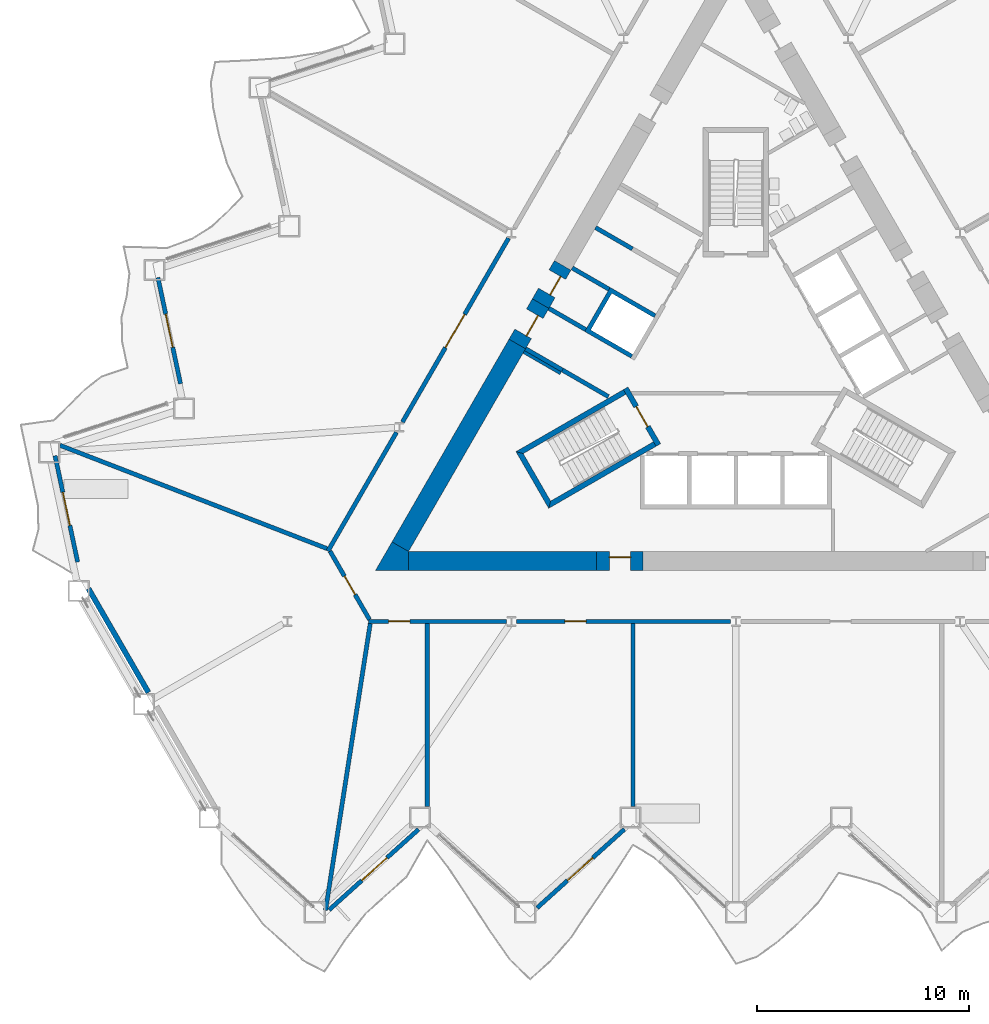
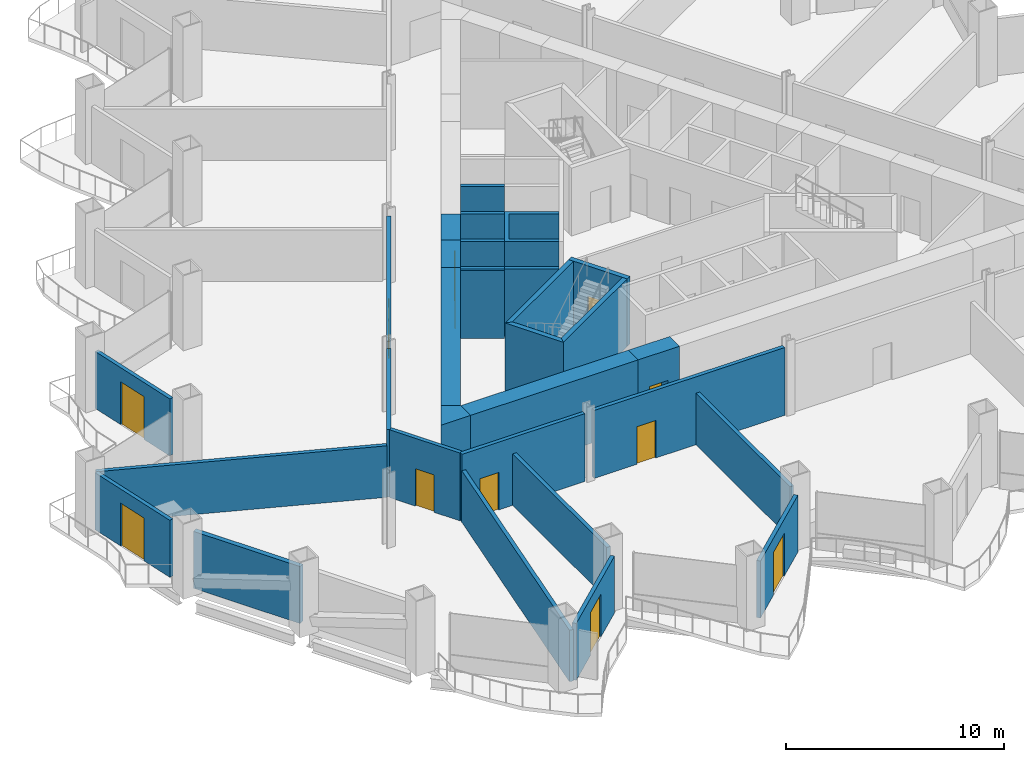
# One storey, part 9 of 21: 31 walls, 12 doors, 12 openings.
"""IFC4 building model written with IfcOpenShell, lengths in metres."""

from ifc_helpers import new_model, si_unit, direction, frame, frame_2d, origin, place, context, subcontext, project, spatial, polyline, rectangle, outline, extrude, material, layer, layer_set, type_object, element, fill, save


model = new_model("IFC4")

# Units and contexts
model_context = context("Model", 3, precision=1e-05, world=origin(), true_north=direction((0.0, 1.0)))
body_context = subcontext(model_context, "Body", "Model", "MODEL_VIEW")
ifc_project = project(units=[si_unit("LENGTHUNIT", "METRE"), si_unit("AREAUNIT", "SQUARE_METRE"), si_unit("VOLUMEUNIT", "CUBIC_METRE"), si_unit("PLANEANGLEUNIT", "RADIAN"), si_unit("MASSUNIT", "GRAM", prefix="KILO")], contexts=[model_context])

# Site, building, storey
site_placement = place(None, origin())
site = spatial("IfcSite", under=ifc_project, at=site_placement, CompositionType="ELEMENT")
building_placement = place(site_placement, origin())
building = spatial("IfcBuilding", under=site, at=building_placement, Name="Cormorant Prow Tower", CompositionType="ELEMENT")
storey_placement = place(building_placement, frame((0.0, 0.0, 51.0)))
storey = spatial("IfcBuildingStorey", under=building, at=storey_placement, Name="L10", CompositionType="ELEMENT", Elevation=51.0)

# Walls
ifc_material_1 = material(Name="Gypsum board partition")
ifc_layer_1 = layer(ifc_material_1, 0.14990234375)
ifc_layer_set_1 = layer_set([ifc_layer_1], Name="Gypsum board partition")
wall_type_1 = type_object("IfcWallType", Name="Core partition 150", PredefinedType="PARTITIONING", material=ifc_layer_set_1)
wall_1_placement = place(storey_placement, frame((-8.268310546875, -0.509033203125, 0.0), z_axis=(0.0, 0.0, 1.0), x_axis=(-0.866035824272, 0.499981950752, 0.0)))
element("IfcWall", 1, at=wall_1_placement, inside=storey, type_object=wall_type_1, Name="Service room partition", PredefinedType="PARTITIONING", context=body_context, shape_type="SweptSolid", body=[
    extrude(rectangle(XDim=2.0087890625, YDim=0.14990234375, at=frame_2d((1.00439453125, 0.0))), origin(), (0.0, 0.0, 1.0), 3.800048828125),
])
ifc_material_2 = material(Name="Concrete 8000 psi", Category="concrete")
ifc_layer_2 = layer(ifc_material_2, 0.89990234375)
ifc_layer_set_2 = layer_set([ifc_layer_2], Name="Concrete 8000 psi")
wall_type_2 = type_object("IfcWallType", Name="Core shear wall 900", PredefinedType="SHEAR", material=ifc_layer_set_2)
wall_2_placement = place(storey_placement, frame((-15.441162109375, -9.364990234375, 0.0), z_axis=(0.0, 0.0, 1.0), x_axis=(1.0, 0.0, 0.0)))
element("IfcWall", 2, at=wall_2_placement, inside=storey, type_object=wall_type_2, Name="Core wall", PredefinedType="SHEAR", context=body_context, shape_type="SweptSolid", body=[
    extrude(rectangle(XDim=8.87060546875, YDim=0.89990234375, at=frame_2d((4.435302734375, 0.0))), origin(), (0.0, 0.0, 1.0), 3.800048828125),
])
wall_3_placement = place(storey_placement, frame((-10.310302734375, 0.8720703125, 0.0), z_axis=(0.0, 0.0, 1.0), x_axis=(-0.499991697393, -0.866030197244, 0.0)))
element("IfcWall", 3, at=wall_3_placement, inside=storey, type_object=wall_type_2, Name="Core wall", PredefinedType="SHEAR", context=body_context, shape_type="SweptSolid", body=[
    extrude(rectangle(XDim=11.041259765625, YDim=0.89990234375, at=frame_2d((5.5205078125, 0.0))), origin(), (0.0, 0.0, 1.0), 3.800048828125),
])
wall_4_placement = place(storey_placement, origin())
element("IfcWall", 4, at=wall_4_placement, inside=storey, type_object=wall_type_2, Name="Core wall corner", PredefinedType="SHEAR", context=body_context, shape_type="SweptSolid", body=[
    extrude(outline(polyline([(-16.220703125, -8.465087890625), (-15.441162109375, -8.9150390625), (-15.441162109375, -9.81494140625), (-17.0, -9.81494140625), (-16.220703125, -8.465087890625)])), origin(), (0.0, 0.0, 1.0), 3.800048828125),
])

# Wall, opening, door
wall_5_placement = place(storey_placement, frame((-6.570556640625, -9.364990234375, 0.0), z_axis=(0.0, 0.0, 1.0), x_axis=(1.0, 0.0, 0.0)))
wall_5 = element("IfcWall", 5, at=wall_5_placement, inside=storey, type_object=wall_type_2, Name="Core wall door panel", PredefinedType="SHEAR", context=body_context, shape_type="SweptSolid", body=[
    extrude(rectangle(XDim=2.199951171875, YDim=0.89990234375, at=frame_2d((1.10009765625, 0.0))), origin(), (0.0, 0.0, 1.0), 3.800048828125),
])
opening_1_placement = place(wall_5_placement, frame((0.60009765625, 0.0, 0.0)))
opening_1 = element("IfcOpeningElement", 6, at=opening_1_placement, cuts=wall_5, Name="Opening L10-C16", PredefinedType="OPENING", context=body_context, shape_type="SweptSolid", body=[
    extrude(rectangle(XDim=1.0, YDim=2.10009765625, at=frame_2d((0.5, 1.050048828125))), frame((0.0, 0.4599609375, 0.0), z_axis=(0.0, -1.0, 0.0), x_axis=(1.0, 0.0, 0.0)), (0.0, 0.0, 1.0), 0.919921875),
])
ifc_material_3 = material(Name="Painted steel", Category="steel")
door_type_1 = type_object("IfcDoorType", Name="Service door 1000x2100", OperationType="NOTDEFINED", PredefinedType="DOOR", material=ifc_material_3)
door_1_placement = place(opening_1_placement, origin())
door_1 = element("IfcDoor", 7, at=door_1_placement, inside=storey, type_object=door_type_1, Name="Core door, Pantry store", OperationType="SINGLE_SWING_RIGHT", OverallHeight=2.10009765625, OverallWidth=1.0, PredefinedType="DOOR", context=body_context, shape_type="SweptSolid", body=[
    extrude(rectangle(XDim=1.0, YDim=2.10009765625, at=frame_2d((0.5, 1.050048828125))), frame((0.0, 0.205078125, 0.0), z_axis=(0.0, -1.0, 0.0), x_axis=(1.0, 0.0, 0.0)), (0.0, 0.0, 1.0), 0.050048828125),
])
fill(opening_1, door_1)

wall_6_placement = place(storey_placement, frame((-8.17041015625, 4.57861328125, 0.0), z_axis=(0.0, 0.0, 1.0), x_axis=(-0.499888406853, -0.866089822532, 0.0)))
wall_6 = element("IfcWall", 8, at=wall_6_placement, inside=storey, type_object=wall_type_2, Name="Core wall door panel", PredefinedType="SHEAR", context=body_context, shape_type="SweptSolid", body=[
    extrude(rectangle(XDim=2.080078125, YDim=0.89990234375, at=frame_2d((1.0400390625, 0.0))), origin(), (0.0, 0.0, 1.0), 3.800048828125),
])
opening_2_placement = place(wall_6_placement, frame((0.5, 0.0, 0.0)))
opening_2 = element("IfcOpeningElement", 9, at=opening_2_placement, cuts=wall_6, Name="Opening L10-C19", PredefinedType="OPENING", context=body_context, shape_type="SweptSolid", body=[
    extrude(rectangle(XDim=1.0, YDim=2.10009765625, at=frame_2d((0.5, 1.050048828125))), frame((0.0, 0.4599609375, 0.0), z_axis=(0.0, -1.0, 0.0), x_axis=(1.0, 0.0, 0.0)), (0.0, 0.0, 1.0), 0.919921875),
])
door_2_placement = place(opening_2_placement, origin())
door_2 = element("IfcDoor", 10, at=door_2_placement, inside=storey, type_object=door_type_1, Name="Core door, Telecom room", OperationType="SINGLE_SWING_LEFT", OverallHeight=2.10009765625, OverallWidth=1.0, PredefinedType="DOOR", context=body_context, shape_type="SweptSolid", body=[
    extrude(rectangle(XDim=1.0, YDim=2.10009765625, at=frame_2d((0.5, 1.050048828125))), frame((0.0, 0.205078125, 0.0), z_axis=(0.0, -1.0, 0.0), x_axis=(1.0, 0.0, 0.0)), (0.0, 0.0, 1.0), 0.050048828125),
])
fill(opening_2, door_2)

wall_7_placement = place(storey_placement, frame((-9.210205078125, 2.777099609375, 0.0), z_axis=(0.0, 0.0, 1.0), x_axis=(-0.500077893725, -0.86598042715, 0.0)))
wall_7 = element("IfcWall", 11, at=wall_7_placement, inside=storey, type_object=wall_type_2, Name="Core wall door panel", PredefinedType="SHEAR", context=body_context, shape_type="SweptSolid", body=[
    extrude(rectangle(XDim=2.199951171875, YDim=0.89990234375, at=frame_2d((1.10009765625, 0.0))), origin(), (0.0, 0.0, 1.0), 3.800048828125),
])
opening_3_placement = place(wall_7_placement, frame((0.550048828125, 0.0, 0.0)))
opening_3 = element("IfcOpeningElement", 12, at=opening_3_placement, cuts=wall_7, Name="Opening L10-C24", PredefinedType="OPENING", context=body_context, shape_type="SweptSolid", body=[
    extrude(rectangle(XDim=1.10009765625, YDim=2.10009765625, at=frame_2d((0.550048828125, 1.050048828125))), frame((0.0, 0.4599609375, 0.0), z_axis=(0.0, -1.0, 0.0), x_axis=(1.0, 0.0, 0.0)), (0.0, 0.0, 1.0), 0.919921875),
])
ifc_material_4 = material(Name="Painted steel", Category="steel")
door_type_2 = type_object("IfcDoorType", Name="Core door 1100x2100", OperationType="NOTDEFINED", PredefinedType="DOOR", material=ifc_material_4)
door_3_placement = place(opening_3_placement, origin())
door_3 = element("IfcDoor", 13, at=door_3_placement, inside=storey, type_object=door_type_2, Name="Core door, lift lobby", OperationType="SINGLE_SWING_LEFT", OverallHeight=2.10009765625, OverallWidth=1.10009765625, PredefinedType="DOOR", context=body_context, shape_type="SweptSolid", body=[
    extrude(rectangle(XDim=1.10009765625, YDim=2.10009765625, at=frame_2d((0.550048828125, 1.050048828125))), frame((0.0, 0.205078125, 0.0), z_axis=(0.0, -1.0, 0.0), x_axis=(1.0, 0.0, 0.0)), (0.0, 0.0, 1.0), 0.050048828125),
])
fill(opening_3, door_3)

ifc_material_5 = material(Name="Gypsum board corridor wall")
ifc_layer_3 = layer(ifc_material_5, 0.199951171875)
ifc_layer_set_3 = layer_set([ifc_layer_3], Name="Gypsum board corridor wall")
wall_type_3 = type_object("IfcWallType", Name="Corridor wall 200", PredefinedType="PARTITIONING", material=ifc_layer_set_3)
wall_8_placement = place(storey_placement, frame((-10.336181640625, -12.215087890625, 0.0), z_axis=(0.0, 0.0, 1.0), x_axis=(1.0, 0.0, 0.0)))
wall_8 = element("IfcWall", 14, at=wall_8_placement, inside=storey, type_object=wall_type_3, Name="Corridor wall", PredefinedType="PARTITIONING", context=body_context, shape_type="SweptSolid", body=[
    extrude(rectangle(XDim=10.093994140625, YDim=0.199951171875, at=frame_2d((5.046875, 0.0))), origin(), (0.0, 0.0, 1.0), 3.800048828125),
])
opening_4_placement = place(wall_8_placement, frame((2.27197265625, 0.0, 0.0)))
opening_4 = element("IfcOpeningElement", 15, at=opening_4_placement, cuts=wall_8, Name="Opening L10-F02", PredefinedType="OPENING", context=body_context, shape_type="SweptSolid", body=[
    extrude(rectangle(XDim=1.0, YDim=2.10009765625, at=frame_2d((0.5, 1.050048828125))), frame((0.0, 0.10986328125, 0.0), z_axis=(0.0, -1.0, 0.0), x_axis=(1.0, 0.0, 0.0)), (0.0, 0.0, 1.0), 0.219970703125),
])
ifc_material_6 = material(Name="Timber door leaf", Category="wood")
door_type_3 = type_object("IfcDoorType", Name="Office door 1000x2100", OperationType="NOTDEFINED", PredefinedType="DOOR", material=ifc_material_6)
door_4_placement = place(opening_4_placement, origin())
door_4 = element("IfcDoor", 16, at=door_4_placement, inside=storey, type_object=door_type_3, Name="Tenant suite door", OperationType="SINGLE_SWING_LEFT", OverallHeight=2.10009765625, OverallWidth=1.0, PredefinedType="DOOR", context=body_context, shape_type="SweptSolid", body=[
    extrude(rectangle(XDim=1.0, YDim=2.10009765625, at=frame_2d((0.5, 1.050048828125))), frame((0.0, 0.02490234375, 0.0), z_axis=(0.0, -1.0, 0.0), x_axis=(1.0, 0.0, 0.0)), (0.0, 0.0, 1.0), 0.050048828125),
])
fill(opening_4, door_4)

wall_9_placement = place(storey_placement, frame((-15.727783203125, -2.811279296875, 0.0), z_axis=(0.0, 0.0, 1.0), x_axis=(0.49999175339, 0.866030164915, 0.0)))
wall_9 = element("IfcWall", 17, at=wall_9_placement, inside=storey, type_object=wall_type_3, Name="Corridor wall", PredefinedType="PARTITIONING", context=body_context, shape_type="SweptSolid", body=[
    extrude(rectangle(XDim=10.018798828125, YDim=0.199951171875, at=frame_2d((5.00927734375, 0.0))), origin(), (0.0, 0.0, 1.0), 3.800048828125),
])
opening_5_placement = place(wall_9_placement, frame((4.059326171875, 0.0, 0.0)))
opening_5 = element("IfcOpeningElement", 18, at=opening_5_placement, cuts=wall_9, Name="Opening L10-F16", PredefinedType="OPENING", context=body_context, shape_type="SweptSolid", body=[
    extrude(rectangle(XDim=1.800048828125, YDim=2.10009765625, at=frame_2d((0.89990234375, 1.050048828125))), frame((0.0, 0.10986328125, 0.0), z_axis=(0.0, -1.0, 0.0), x_axis=(1.0, 0.0, 0.0)), (0.0, 0.0, 1.0), 0.219970703125),
])
ifc_material_7 = material(Name="Timber door leaf", Category="wood")
door_type_4 = type_object("IfcDoorType", Name="Double door 1800x2100", OperationType="DOUBLE_DOOR_SINGLE_SWING", PredefinedType="DOOR", material=ifc_material_7)
door_5_placement = place(opening_5_placement, origin())
door_5 = element("IfcDoor", 19, at=door_5_placement, inside=storey, type_object=door_type_4, Name="Open-plan office door", OperationType="DOUBLE_DOOR_SINGLE_SWING", OverallHeight=2.10009765625, OverallWidth=1.800048828125, PredefinedType="DOOR", context=body_context, shape_type="SweptSolid", body=[
    extrude(rectangle(XDim=1.800048828125, YDim=2.10009765625, at=frame_2d((0.89990234375, 1.050048828125))), frame((0.0, 0.02490234375, 0.0), z_axis=(0.0, -1.0, 0.0), x_axis=(1.0, 0.0, 0.0)), (0.0, 0.0, 1.0), 0.050048828125),
])
fill(opening_5, door_5)

wall_10_placement = place(storey_placement, frame((-17.330810546875, -12.215087890625, 0.0), z_axis=(0.0, 0.0, 1.0), x_axis=(1.0, 0.0, 0.0)))
wall_10 = element("IfcWall", 20, at=wall_10_placement, inside=storey, type_object=wall_type_3, Name="Corridor wall", PredefinedType="PARTITIONING", context=body_context, shape_type="SweptSolid", body=[
    extrude(rectangle(XDim=6.510009765625, YDim=0.199951171875, at=frame_2d((3.2548828125, 0.0))), origin(), (0.0, 0.0, 1.0), 3.800048828125),
])
opening_6_placement = place(wall_10_placement, frame((0.951416015625, 0.0, 0.0)))
opening_6 = element("IfcOpeningElement", 21, at=opening_6_placement, cuts=wall_10, Name="Opening L10-F01", PredefinedType="OPENING", context=body_context, shape_type="SweptSolid", body=[
    extrude(rectangle(XDim=1.0, YDim=2.10009765625, at=frame_2d((0.5, 1.050048828125))), frame((0.0, 0.10986328125, 0.0), z_axis=(0.0, -1.0, 0.0), x_axis=(1.0, 0.0, 0.0)), (0.0, 0.0, 1.0), 0.219970703125),
])
door_6_placement = place(opening_6_placement, origin())
door_6 = element("IfcDoor", 22, at=door_6_placement, inside=storey, type_object=door_type_3, Name="Meeting room door", OperationType="SINGLE_SWING_LEFT", OverallHeight=2.10009765625, OverallWidth=1.0, PredefinedType="DOOR", context=body_context, shape_type="SweptSolid", body=[
    extrude(rectangle(XDim=1.0, YDim=2.10009765625, at=frame_2d((0.5, 1.050048828125))), frame((0.0, 0.02490234375, 0.0), z_axis=(0.0, -1.0, 0.0), x_axis=(1.0, 0.0, 0.0)), (0.0, 0.0, 1.0), 0.050048828125),
])
fill(opening_6, door_6)

# Wall
wall_11_placement = place(storey_placement, frame((-19.243896484375, -8.901611328125, 0.0), z_axis=(0.0, 0.0, 1.0), x_axis=(0.499984737558, 0.86603421538, 0.0)))
element("IfcWall", 23, at=wall_11_placement, inside=storey, type_object=wall_type_3, Name="Corridor wall", PredefinedType="PARTITIONING", context=body_context, shape_type="SweptSolid", body=[
    extrude(rectangle(XDim=6.472900390625, YDim=0.199951171875, at=frame_2d((3.236328125, 0.0))), origin(), (0.0, 0.0, 1.0), 3.800048828125),
])

# Wall, opening, door
wall_12_placement = place(storey_placement, frame((-19.143798828125, -8.901611328125, 0.0), z_axis=(0.0, 0.0, 1.0), x_axis=(0.499958791762, -0.866049194065, 0.0)))
wall_12 = element("IfcWall", 24, at=wall_12_placement, inside=storey, type_object=wall_type_3, Name="Corridor wall", PredefinedType="PARTITIONING", context=body_context, shape_type="SweptSolid", body=[
    extrude(rectangle(XDim=3.725830078125, YDim=0.199951171875, at=frame_2d((1.86279296875, 0.0))), origin(), (0.0, 0.0, 1.0), 3.800048828125),
])
opening_7_placement = place(wall_12_placement, frame((1.363037109375, 0.0, 0.0)))
opening_7 = element("IfcOpeningElement", 25, at=opening_7_placement, cuts=wall_12, Name="Opening L10-F17", PredefinedType="OPENING", context=body_context, shape_type="SweptSolid", body=[
    extrude(rectangle(XDim=1.0, YDim=2.10009765625, at=frame_2d((0.5, 1.050048828125))), frame((0.0, 0.10986328125, 0.0), z_axis=(0.0, -1.0, 0.0), x_axis=(1.0, 0.0, 0.0)), (0.0, 0.0, 1.0), 0.219970703125),
])
door_7_placement = place(opening_7_placement, origin())
door_7 = element("IfcDoor", 26, at=door_7_placement, inside=storey, type_object=door_type_3, Name="Tenant reception door", OperationType="SINGLE_SWING_LEFT", OverallHeight=2.10009765625, OverallWidth=1.0, PredefinedType="DOOR", context=body_context, shape_type="SweptSolid", body=[
    extrude(rectangle(XDim=1.0, YDim=2.10009765625, at=frame_2d((0.5, 1.050048828125))), frame((0.0, 0.02490234375, 0.0), z_axis=(0.0, -1.0, 0.0), x_axis=(1.0, 0.0, 0.0)), (0.0, 0.0, 1.0), 0.050048828125),
])
fill(opening_7, door_7)

# Walls
ifc_material_8 = material(Name="Gypsum board demising wall")
ifc_layer_4 = layer(ifc_material_8, 0.199951171875)
ifc_layer_set_4 = layer_set([ifc_layer_4], Name="Gypsum board demising wall")
wall_type_4 = type_object("IfcWallType", Name="Demising wall 200", PredefinedType="PARTITIONING", material=ifc_layer_set_4)
wall_13_placement = place(storey_placement, frame((-19.354248046875, -25.8447265625, 0.0), z_axis=(0.0, 0.0, 1.0), x_axis=(0.153927101979, 0.98808220674, 0.0)))
element("IfcWall", 27, at=wall_13_placement, inside=storey, type_object=wall_type_4, Name="Demising wall", PredefinedType="PARTITIONING", context=body_context, shape_type="SweptSolid", body=[
    extrude(rectangle(XDim=13.694091796875, YDim=0.199951171875, at=frame_2d((6.84716796875, 0.0))), origin(), (0.0, 0.0, 1.0), 2.88525390625),
])
wall_14_placement = place(storey_placement, frame((-31.87939453125, -3.908447265625, 0.0), z_axis=(0.0, 0.0, 1.0), x_axis=(0.932669586354, -0.360731815467, 0.0)))
element("IfcWall", 28, at=wall_14_placement, inside=storey, type_object=wall_type_4, Name="Demising wall", PredefinedType="PARTITIONING", context=body_context, shape_type="SweptSolid", body=[
    extrude(rectangle(XDim=13.501220703125, YDim=0.199951171875, at=frame_2d((6.75048828125, 0.0))), origin(), (0.0, 0.0, 1.0), 2.88525390625),
])
for number, where, z_axis, x_axis, name in (
    (29, (-14.55810546875, -20.949951171875, 0.0), (0.0, 0.0, 1.0), (0.0, 1.0, 0.0), "Demising wall"),
    (30, (-4.852783203125, -20.949951171875, 0.0), (0.0, 0.0, 1.0), (0.0, 1.0, 0.0), "Demising wall"),
):
    element("IfcWall", number, at=place(storey_placement, frame(where, z_axis=z_axis, x_axis=x_axis)), inside=storey, type_object=wall_type_4, Name=name, PredefinedType="PARTITIONING", context=body_context, shape_type="SweptSolid", body=[
        extrude(rectangle(XDim=8.635009765625, YDim=0.199951171875, at=frame_2d((4.3173828125, 0.0))), origin(), (0.0, 0.0, 1.0), 2.88525390625),
    ])
ifc_material_9 = material(Name="Concrete 8000 psi", Category="concrete")
ifc_layer_5 = layer(ifc_material_9, 0.199951171875)
ifc_layer_set_5 = layer_set([ifc_layer_5], Name="Concrete 8000 psi")
wall_type_5 = type_object("IfcWallType", Name="Lift shaft wall 200", PredefinedType="SHEAR", material=ifc_layer_set_5)
wall_15_placement = place(storey_placement, origin())
element("IfcWall", 31, at=wall_15_placement, inside=storey, type_object=wall_type_5, Name="Lift shaft walls, WNW block", PredefinedType="SHEAR", context=body_context, shape_type="SweptSolid", body=[
    extrude(outline(polyline([(-6.060546875, -1.697021484375), (-8.230712890625, -0.444091796875), (-8.130859375, -0.27099609375), (-5.96044921875, -1.52392578125), (-6.060546875, -1.697021484375)])), origin(), (0.0, 0.0, 1.0), 3.800048828125),
])
wall_16_placement = place(storey_placement, origin())
element("IfcWall", 32, at=wall_16_placement, inside=storey, type_object=wall_type_5, Name="Lift shaft walls, WNW block", PredefinedType="SHEAR", context=body_context, shape_type="SweptSolid", body=[
    extrude(outline(polyline([(-4.96044921875, 0.2080078125), (-7.130859375, 1.461181640625), (-5.930908203125, 3.53955078125), (-3.760498046875, 2.28662109375), (-3.860595703125, 2.11328125), (-5.852294921875, 3.263427734375), (-6.852294921875, 1.53125), (-4.860595703125, 0.38134765625), (-4.96044921875, 0.2080078125)])), origin(), (0.0, 0.0, 1.0), 3.800048828125),
])
wall_17_placement = place(storey_placement, frame((-4.880859375, 5.3583984375, 0.0), z_axis=(0.0, 0.0, 1.0), x_axis=(-0.866035824272, 0.499981950752, 0.0)))
element("IfcWall", 33, at=wall_17_placement, inside=storey, type_object=wall_type_5, Name="Store side wall", PredefinedType="SHEAR", context=body_context, shape_type="SweptSolid", body=[
    extrude(rectangle(XDim=2.0087890625, YDim=0.199951171875, at=frame_2d((1.00439453125, 0.0))), origin(), (0.0, 0.0, 1.0), 3.800048828125),
])
wall_18_placement = place(storey_placement, frame((-5.980712890625, 3.452880859375, 0.0), z_axis=(0.0, 0.0, 1.0), x_axis=(-0.866013584312, 0.500020471368, 0.0)))
element("IfcWall", 34, at=wall_18_placement, inside=storey, type_object=wall_type_5, Name="Store side wall", PredefinedType="SHEAR", context=body_context, shape_type="SweptSolid", body=[
    extrude(rectangle(XDim=2.00927734375, YDim=0.199951171875, at=frame_2d((1.004638671875, 0.0))), origin(), (0.0, 0.0, 1.0), 3.800048828125),
])
wall_19_placement = place(storey_placement, frame((-7.080810546875, 1.547607421875, 0.0), z_axis=(0.0, 0.0, 1.0), x_axis=(-0.865983199114, 0.50007309351, 0.0)))
element("IfcWall", 35, at=wall_19_placement, inside=storey, type_object=wall_type_5, Name="Lobby passage wall", PredefinedType="SHEAR", context=body_context, shape_type="SweptSolid", body=[
    extrude(rectangle(XDim=2.009033203125, YDim=0.199951171875, at=frame_2d((1.00439453125, 0.0))), origin(), (0.0, 0.0, 1.0), 3.800048828125),
])
wall_20_placement = place(storey_placement, frame((-8.180908203125, -0.357421875, 0.0), z_axis=(0.0, 0.0, 1.0), x_axis=(-0.866035824272, 0.499981950752, 0.0)))
element("IfcWall", 36, at=wall_20_placement, inside=storey, type_object=wall_type_5, Name="Lobby passage wall", PredefinedType="SHEAR", context=body_context, shape_type="SweptSolid", body=[
    extrude(rectangle(XDim=2.0087890625, YDim=0.199951171875, at=frame_2d((1.00439453125, 0.0))), origin(), (0.0, 0.0, 1.0), 3.800048828125),
])
ifc_material_10 = material(Name="Concrete 8000 psi", Category="concrete")
ifc_layer_6 = layer(ifc_material_10, 0.25)
ifc_layer_set_6 = layer_set([ifc_layer_6], Name="Concrete 8000 psi")
wall_type_6 = type_object("IfcWallType", Name="Stair wall 250", PredefinedType="SHEAR", material=ifc_layer_set_6)
wall_21_placement = place(storey_placement, origin())
element("IfcWall", 37, at=wall_21_placement, inside=storey, type_object=wall_type_6, Name="Stair ST1 enclosure wall (flank)", PredefinedType="SHEAR", context=body_context, shape_type="SweptSolid", body=[
    extrude(outline(polyline([(-5.30712890625, -1.28125), (-10.37353515625, -4.206298828125), (-10.031982421875, -4.2978515625), (-5.18212890625, -1.497802734375), (-5.30712890625, -1.28125)])), origin(), (0.0, 0.0, 1.0), 3.800048828125),
])
wall_22_placement = place(storey_placement, origin())
element("IfcWall", 38, at=wall_22_placement, inside=storey, type_object=wall_type_6, Name="Stair ST1 enclosure wall (end)", PredefinedType="SHEAR", context=body_context, shape_type="SweptSolid", body=[
    extrude(outline(polyline([(-10.37353515625, -4.206298828125), (-8.82958984375, -6.880615234375), (-8.738037109375, -6.5390625), (-10.031982421875, -4.2978515625), (-10.37353515625, -4.206298828125)])), origin(), (0.0, 0.0, 1.0), 3.800048828125),
])
wall_23_placement = place(storey_placement, origin())
element("IfcWall", 39, at=wall_23_placement, inside=storey, type_object=wall_type_6, Name="Stair ST1 enclosure wall (flank)", PredefinedType="SHEAR", context=body_context, shape_type="SweptSolid", body=[
    extrude(outline(polyline([(-8.738037109375, -6.5390625), (-8.82958984375, -6.880615234375), (-3.76318359375, -3.95556640625), (-3.88818359375, -3.739013671875), (-8.738037109375, -6.5390625)])), origin(), (0.0, 0.0, 1.0), 3.800048828125),
])

# Wall, opening, door
wall_24_placement = place(storey_placement, frame((-5.198974609375, -1.21875, 0.0), z_axis=(0.0, 0.0, 1.0), x_axis=(0.499982516597, -0.866035497597, 0.0)))
wall_24 = element("IfcWall", 40, at=wall_24_placement, inside=storey, type_object=wall_type_6, Name="Stair ST1 door wall", PredefinedType="SHEAR", context=body_context, shape_type="SweptSolid", body=[
    extrude(rectangle(XDim=3.087890625, YDim=0.25, at=frame_2d((1.5439453125, 0.0))), origin(), (0.0, 0.0, 1.0), 3.800048828125),
])
opening_8_placement = place(wall_24_placement, frame((0.993896484375, 0.0, 0.0)))
opening_8 = element("IfcOpeningElement", 41, at=opening_8_placement, cuts=wall_24, Name="Opening L10-C12", PredefinedType="OPENING", context=body_context, shape_type="SweptSolid", body=[
    extrude(rectangle(XDim=1.10009765625, YDim=2.10009765625, at=frame_2d((0.550048828125, 1.050048828125))), frame((0.0, 0.135009765625, 0.0), z_axis=(0.0, -1.0, 0.0), x_axis=(1.0, 0.0, 0.0)), (0.0, 0.0, 1.0), 0.27001953125),
])
ifc_material_11 = material(Name="Painted steel", Category="steel")
door_type_5 = type_object("IfcDoorType", Name="Stair door 1100x2100", OperationType="NOTDEFINED", PredefinedType="DOOR", material=ifc_material_11)
door_8_placement = place(opening_8_placement, origin())
door_8 = element("IfcDoor", 42, at=door_8_placement, inside=storey, type_object=door_type_5, Name="Stair ST1 door", OperationType="SINGLE_SWING_LEFT", OverallHeight=2.10009765625, OverallWidth=1.10009765625, PredefinedType="DOOR", context=body_context, shape_type="SweptSolid", body=[
    extrude(rectangle(XDim=1.10009765625, YDim=2.10009765625, at=frame_2d((0.550048828125, 1.050048828125))), frame((0.0, 0.02490234375, 0.0), z_axis=(0.0, -1.0, 0.0), x_axis=(1.0, 0.0, 0.0)), (0.0, 0.0, 1.0), 0.050048828125),
])
fill(opening_8, door_8)

# Wall
ifc_material_12 = material(Name="Terracotta", Category="masonry")
ifc_layer_7 = layer(ifc_material_12, 0.25)
ifc_layer_set_7 = layer_set([ifc_layer_7], Name="Terracotta")
wall_type_7 = type_object("IfcWallType", Name="Terracotta bay wall 250", PredefinedType="SOLIDWALL", material=ifc_layer_set_7)
wall_25_placement = place(storey_placement, frame((-30.540283203125, -10.665283203125, 0.0), z_axis=(0.0, 0.0, 1.0), x_axis=(0.499985074313, -0.866034020963, 0.0)))
element("IfcWall", 43, at=wall_25_placement, inside=storey, type_object=wall_type_7, Name="Terracotta bay wall WSW00", PredefinedType="SOLIDWALL", context=body_context, shape_type="SweptSolid", body=[
    extrude(rectangle(XDim=5.659912109375, YDim=0.25, at=frame_2d((2.830078125, 0.0))), origin(), (0.0, 0.0, 1.0), 3.18896484375),
])

# Wall, opening, door
ifc_material_13 = material(Name="Terracotta", Category="masonry")
ifc_layer_8 = layer(ifc_material_13, 0.199951171875)
ifc_layer_set_8 = layer_set([ifc_layer_8], Name="Terracotta")
wall_type_8 = type_object("IfcWallType", Name="Terracotta jamb wall 200", PredefinedType="SOLIDWALL", material=ifc_layer_set_8)
wall_26_placement = place(storey_placement, frame((-19.1865234375, -25.8203125, 0.0), z_axis=(0.0, 0.0, 1.0), x_axis=(0.743142396166, 0.669133304373, 0.0)))
wall_26 = element("IfcWall", 44, at=wall_26_placement, inside=storey, type_object=wall_type_8, Name="Terracotta jamb wall S01", PredefinedType="SOLIDWALL", context=body_context, shape_type="SweptSolid", body=[
    extrude(rectangle(XDim=5.680419921875, YDim=0.199951171875, at=frame_2d((2.84033203125, 0.0))), origin(), (0.0, 0.0, 1.0), 3.18896484375),
])
opening_9_placement = place(wall_26_placement, frame((2.0732421875, 0.0, 0.0)))
opening_9 = element("IfcOpeningElement", 45, at=opening_9_placement, cuts=wall_26, Name="Opening ED10.01", PredefinedType="OPENING", context=body_context, shape_type="SweptSolid", body=[
    extrude(rectangle(XDim=1.60009765625, YDim=2.39990234375, at=frame_2d((0.800048828125, 1.199951171875))), frame((0.0, 0.10986328125, 0.0), z_axis=(0.0, -1.0, 0.0), x_axis=(1.0, 0.0, 0.0)), (0.0, 0.0, 1.0), 0.219970703125),
])
ifc_material_14 = material(Name="Aluminium 6063-T6", Category="aluminium")
door_type_6 = type_object("IfcDoorType", Name="Balcony door 1600x2400", OperationType="DOUBLE_DOOR_SINGLE_SWING", PredefinedType="DOOR", material=ifc_material_14)
door_9_placement = place(opening_9_placement, origin())
door_9 = element("IfcDoor", 46, at=door_9_placement, inside=storey, type_object=door_type_6, Name="Balcony door S01 ED10.01", OperationType="DOUBLE_DOOR_SINGLE_SWING", OverallHeight=2.39990234375, OverallWidth=1.60009765625, PredefinedType="DOOR", context=body_context, shape_type="SweptSolid", body=[
    extrude(rectangle(XDim=1.60009765625, YDim=2.39990234375, at=frame_2d((0.800048828125, 1.199951171875))), frame((0.0, 0.02490234375, 0.0), z_axis=(0.0, -1.0, 0.0), x_axis=(1.0, 0.0, 0.0)), (0.0, 0.0, 1.0), 0.050048828125),
])
fill(opening_9, door_9)

wall_27_placement = place(storey_placement, frame((-9.378662109375, -25.727783203125, 0.0), z_axis=(0.0, 0.0, 1.0), x_axis=(0.743160522465, 0.669113172677, 0.0)))
wall_27 = element("IfcWall", 47, at=wall_27_placement, inside=storey, type_object=wall_type_8, Name="Terracotta jamb wall S03", PredefinedType="SOLIDWALL", context=body_context, shape_type="SweptSolid", body=[
    extrude(rectangle(XDim=5.54248046875, YDim=0.199951171875, at=frame_2d((2.771240234375, 0.0))), origin(), (0.0, 0.0, 1.0), 3.18896484375),
])
opening_10_placement = place(wall_27_placement, frame((1.935302734375, 0.0, 0.0)))
opening_10 = element("IfcOpeningElement", 48, at=opening_10_placement, cuts=wall_27, Name="Opening ED10.02", PredefinedType="OPENING", context=body_context, shape_type="SweptSolid", body=[
    extrude(rectangle(XDim=1.60009765625, YDim=2.39990234375, at=frame_2d((0.800048828125, 1.199951171875))), frame((0.0, 0.10986328125, 0.0), z_axis=(0.0, -1.0, 0.0), x_axis=(1.0, 0.0, 0.0)), (0.0, 0.0, 1.0), 0.219970703125),
])
door_10_placement = place(opening_10_placement, origin())
door_10 = element("IfcDoor", 49, at=door_10_placement, inside=storey, type_object=door_type_6, Name="Balcony door S03 ED10.02", OperationType="DOUBLE_DOOR_SINGLE_SWING", OverallHeight=2.39990234375, OverallWidth=1.60009765625, PredefinedType="DOOR", context=body_context, shape_type="SweptSolid", body=[
    extrude(rectangle(XDim=1.60009765625, YDim=2.39990234375, at=frame_2d((0.800048828125, 1.199951171875))), frame((0.0, 0.02490234375, 0.0), z_axis=(0.0, -1.0, 0.0), x_axis=(1.0, 0.0, 0.0)), (0.0, 0.0, 1.0), 0.050048828125),
])
fill(opening_10, door_10)

wall_28_placement = place(storey_placement, frame((-27.260986328125, 4.00634765625, 0.0), z_axis=(0.0, 0.0, 1.0), x_axis=(0.207885539143, -0.978153159079, 0.0)))
wall_28 = element("IfcWall", 50, at=wall_28_placement, inside=storey, type_object=wall_type_8, Name="Terracotta jamb wall WNW07", PredefinedType="SOLIDWALL", context=body_context, shape_type="SweptSolid", body=[
    extrude(rectangle(XDim=5.1240234375, YDim=0.199951171875, at=frame_2d((2.56201171875, 0.0))), origin(), (0.0, 0.0, 1.0), 3.18896484375),
])
opening_11_placement = place(wall_28_placement, frame((1.761962890625, 0.0, 0.0)))
opening_11 = element("IfcOpeningElement", 51, at=opening_11_placement, cuts=wall_28, Name="Opening ED10.14", PredefinedType="OPENING", context=body_context, shape_type="SweptSolid", body=[
    extrude(rectangle(XDim=1.60009765625, YDim=2.39990234375, at=frame_2d((0.800048828125, 1.199951171875))), frame((0.0, 0.10986328125, 0.0), z_axis=(0.0, -1.0, 0.0), x_axis=(1.0, 0.0, 0.0)), (0.0, 0.0, 1.0), 0.219970703125),
])
door_11_placement = place(opening_11_placement, origin())
door_11 = element("IfcDoor", 52, at=door_11_placement, inside=storey, type_object=door_type_6, Name="Balcony door WNW07 ED10.14", OperationType="DOUBLE_DOOR_SINGLE_SWING", OverallHeight=2.39990234375, OverallWidth=1.60009765625, PredefinedType="DOOR", context=body_context, shape_type="SweptSolid", body=[
    extrude(rectangle(XDim=1.60009765625, YDim=2.39990234375, at=frame_2d((0.800048828125, 1.199951171875))), frame((0.0, 0.02490234375, 0.0), z_axis=(0.0, -1.0, 0.0), x_axis=(1.0, 0.0, 0.0)), (0.0, 0.0, 1.0), 0.050048828125),
])
fill(opening_11, door_11)

wall_29_placement = place(storey_placement, frame((-32.11376953125, -4.398681640625, 0.0), z_axis=(0.0, 0.0, 1.0), x_axis=(0.207931126702, -0.978143469307, 0.0)))
wall_29 = element("IfcWall", 53, at=wall_29_placement, inside=storey, type_object=wall_type_8, Name="Terracotta jamb wall WNW09", PredefinedType="SOLIDWALL", context=body_context, shape_type="SweptSolid", body=[
    extrude(rectangle(XDim=5.1240234375, YDim=0.199951171875, at=frame_2d((2.56201171875, 0.0))), origin(), (0.0, 0.0, 1.0), 3.18896484375),
])
opening_12_placement = place(wall_29_placement, frame((1.761962890625, 0.0, 0.0)))
opening_12 = element("IfcOpeningElement", 54, at=opening_12_placement, cuts=wall_29, Name="Opening ED10.15", PredefinedType="OPENING", context=body_context, shape_type="SweptSolid", body=[
    extrude(rectangle(XDim=1.60009765625, YDim=2.39990234375, at=frame_2d((0.800048828125, 1.199951171875))), frame((0.0, 0.10986328125, 0.0), z_axis=(0.0, -1.0, 0.0), x_axis=(1.0, 0.0, 0.0)), (0.0, 0.0, 1.0), 0.219970703125),
])
door_12_placement = place(opening_12_placement, origin())
door_12 = element("IfcDoor", 55, at=door_12_placement, inside=storey, type_object=door_type_6, Name="Balcony door WNW09 ED10.15", OperationType="DOUBLE_DOOR_SINGLE_SWING", OverallHeight=2.39990234375, OverallWidth=1.60009765625, PredefinedType="DOOR", context=body_context, shape_type="SweptSolid", body=[
    extrude(rectangle(XDim=1.60009765625, YDim=2.39990234375, at=frame_2d((0.800048828125, 1.199951171875))), frame((0.0, 0.02490234375, 0.0), z_axis=(0.0, -1.0, 0.0), x_axis=(1.0, 0.0, 0.0)), (0.0, 0.0, 1.0), 0.050048828125),
])
fill(opening_12, door_12)

save(model, "model.ifc")
